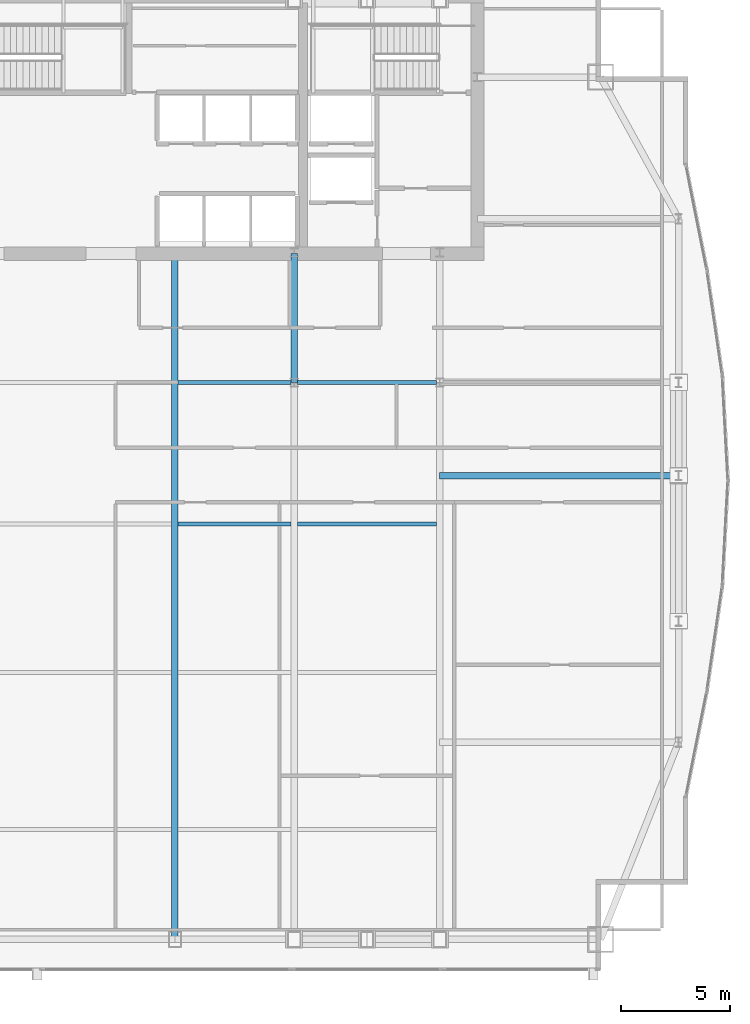
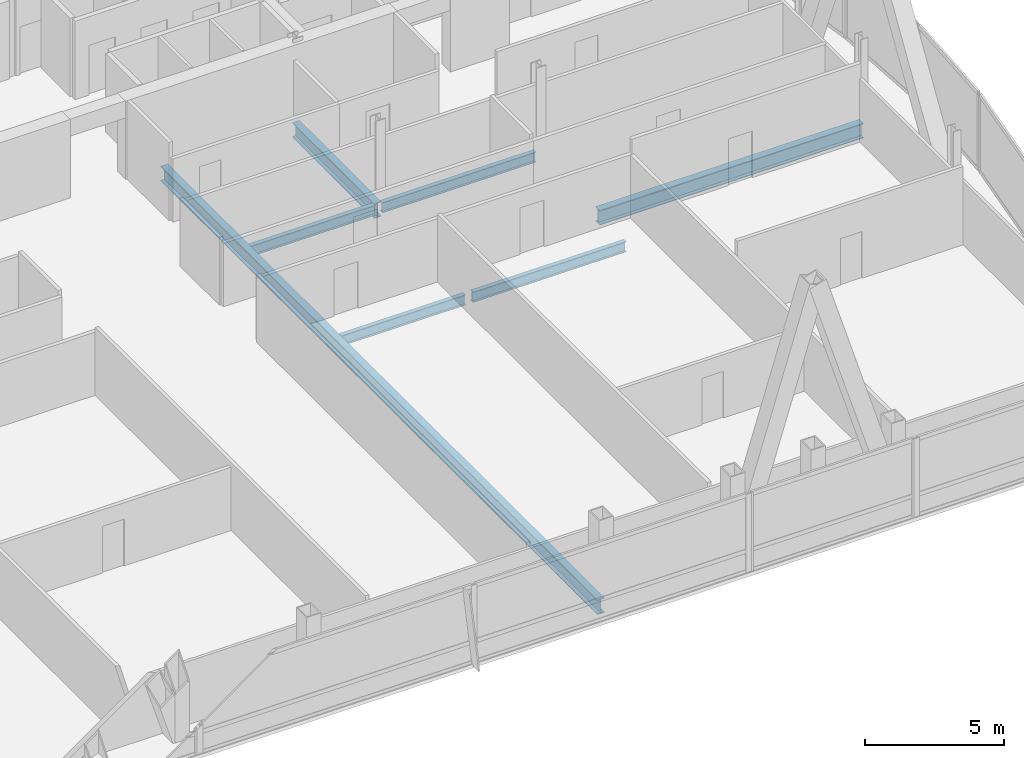
# One storey, part 18 of 32: 7 beams.
"""IFC4 building model written with IfcOpenShell, lengths in metres."""

from ifc_helpers import new_model, si_unit, direction, frame, origin, origin_2d, place, context, subcontext, project, spatial, i_section, extrude, material, material_profile, profile_set, type_object, element, save


model = new_model("IFC4")

# Units and contexts
model_context = context("Model", 3, precision=1e-05, world=origin(), true_north=direction((0.0, 1.0)))
body_context = subcontext(model_context, "Body", "Model", "MODEL_VIEW")
ifc_project = project(units=[si_unit("LENGTHUNIT", "METRE"), si_unit("AREAUNIT", "SQUARE_METRE"), si_unit("VOLUMEUNIT", "CUBIC_METRE"), si_unit("PLANEANGLEUNIT", "RADIAN"), si_unit("MASSUNIT", "GRAM", prefix="KILO")], contexts=[model_context])

# Site, building, storey
site_placement = place(None, origin())
site = spatial("IfcSite", under=ifc_project, at=site_placement, CompositionType="ELEMENT")
building_placement = place(site_placement, origin())
building = spatial("IfcBuilding", under=site, at=building_placement, Name="Khoronbel Lancet Exchange", CompositionType="ELEMENT")
storey_placement = place(building_placement, frame((0.0, 0.0, 221.0)))
storey = spatial("IfcBuildingStorey", under=building, at=storey_placement, Name="L56", CompositionType="ELEMENT", Elevation=221.0)

# Beams
ifc_material = material(Name="Steel S355", Category="steel")
ifc_material_profile_1 = material_profile(ifc_material, i_section(OverallWidth=0.300048828125, OverallDepth=0.64990234375, WebThickness=0.01611328125, FlangeThickness=0.031005859375, at=origin_2d()), Name="HEB 650")
ifc_profile_set_1 = profile_set([ifc_material_profile_1], Name="Steel S355")
beam_type_1 = type_object("IfcBeamType", Name="BM-BG4", PredefinedType="BEAM", material=ifc_profile_set_1)
beam_1_placement = place(storey_placement, frame((42.52490234375, 10.14990234375, -0.485107421875), z_axis=(0.0, 1.0, 0.0), x_axis=(-1.0, 0.0, 0.0)))
element("IfcBeam", 1, at=beam_1_placement, inside=storey, type_object=beam_type_1, Name="Level L56 primary floor girder G4", PredefinedType="BEAM", context=body_context, shape_type="SweptSolid", body=[
    extrude(i_section(OverallWidth=0.300048828125, OverallDepth=0.64990234375, WebThickness=0.01611328125, FlangeThickness=0.031005859375, at=origin_2d()), origin(), (0.0, 0.0, 1.0), 31.4501953125),
])
beam_2_placement = place(storey_placement, frame((48.0, 35.699951171875, -0.485107421875), z_axis=(0.0, 1.0, 0.0), x_axis=(-1.0, 0.0, 0.0)))
element("IfcBeam", 2, at=beam_2_placement, inside=storey, type_object=beam_type_1, Name="Level L56 spine tie girder GN5", PredefinedType="BEAM", context=body_context, shape_type="SweptSolid", body=[
    extrude(i_section(OverallWidth=0.300048828125, OverallDepth=0.64990234375, WebThickness=0.01611328125, FlangeThickness=0.031005859375, at=origin_2d()), origin(), (0.0, 0.0, 1.0), 5.900146484375),
])
beam_3_placement = place(storey_placement, frame((54.675048828125, 31.425048828125, -0.485107421875), z_axis=(1.0, 0.0, 0.0), x_axis=(0.0, 1.0, 0.0)))
element("IfcBeam", 3, at=beam_3_placement, inside=storey, type_object=beam_type_1, Name="Level L56 east lens tie girder LG2E", PredefinedType="BEAM", context=body_context, shape_type="SweptSolid", body=[
    extrude(i_section(OverallWidth=0.300048828125, OverallDepth=0.64990234375, WebThickness=0.01611328125, FlangeThickness=0.031005859375, at=origin_2d()), origin(), (0.0, 0.0, 1.0), 10.954833984375),
])
ifc_material_profile_2 = material_profile(ifc_material, i_section(OverallWidth=0.18994140625, OverallDepth=0.449951171875, WebThickness=0.009521484375, FlangeThickness=0.0146484375, at=origin_2d()), Name="IPE 450")
ifc_profile_set_2 = profile_set([ifc_material_profile_2], Name="Steel S355")
beam_type_2 = type_object("IfcBeamType", Name="BM-BJ4", PredefinedType="JOIST", material=ifc_profile_set_2)
beam_4_placement = place(storey_placement, frame((42.675048828125, 29.199951171875, -0.385009765625), z_axis=(1.0, 0.0, 0.0), x_axis=(0.0, 1.0, 0.0)))
element("IfcBeam", 4, at=beam_4_placement, inside=storey, type_object=beam_type_2, Name="Level L56 secondary composite joist J14", PredefinedType="JOIST", context=body_context, shape_type="SweptSolid", body=[
    extrude(i_section(OverallWidth=0.18994140625, OverallDepth=0.449951171875, WebThickness=0.009521484375, FlangeThickness=0.0146484375, at=origin_2d()), origin(), (0.0, 0.0, 1.0), 5.175048828125),
])
beam_5_placement = place(storey_placement, frame((48.14990234375, 29.199951171875, -0.385009765625), z_axis=(1.0, 0.0, 0.0), x_axis=(0.0, 1.0, 0.0)))
element("IfcBeam", 5, at=beam_5_placement, inside=storey, type_object=beam_type_2, Name="Level L56 secondary composite joist J15", PredefinedType="JOIST", context=body_context, shape_type="SweptSolid", body=[
    extrude(i_section(OverallWidth=0.18994140625, OverallDepth=0.449951171875, WebThickness=0.009521484375, FlangeThickness=0.0146484375, at=origin_2d()), origin(), (0.0, 0.0, 1.0), 6.375),
])
beam_6_placement = place(storey_placement, frame((42.675048828125, 35.699951171875, -0.385009765625), z_axis=(1.0, 0.0, 0.0), x_axis=(0.0, 1.0, 0.0)))
element("IfcBeam", 6, at=beam_6_placement, inside=storey, type_object=beam_type_2, Name="Level L56 secondary composite joist J19", PredefinedType="JOIST", context=body_context, shape_type="SweptSolid", body=[
    extrude(i_section(OverallWidth=0.18994140625, OverallDepth=0.449951171875, WebThickness=0.009521484375, FlangeThickness=0.0146484375, at=origin_2d()), origin(), (0.0, 0.0, 1.0), 5.175048828125),
])
beam_7_placement = place(storey_placement, frame((48.14990234375, 35.699951171875, -0.385009765625), z_axis=(1.0, 0.0, 0.0), x_axis=(0.0, 1.0, 0.0)))
element("IfcBeam", 7, at=beam_7_placement, inside=storey, type_object=beam_type_2, Name="Level L56 secondary composite joist J20", PredefinedType="JOIST", context=body_context, shape_type="SweptSolid", body=[
    extrude(i_section(OverallWidth=0.18994140625, OverallDepth=0.449951171875, WebThickness=0.009521484375, FlangeThickness=0.0146484375, at=origin_2d()), origin(), (0.0, 0.0, 1.0), 6.375),
])

save(model, "model.ifc")
